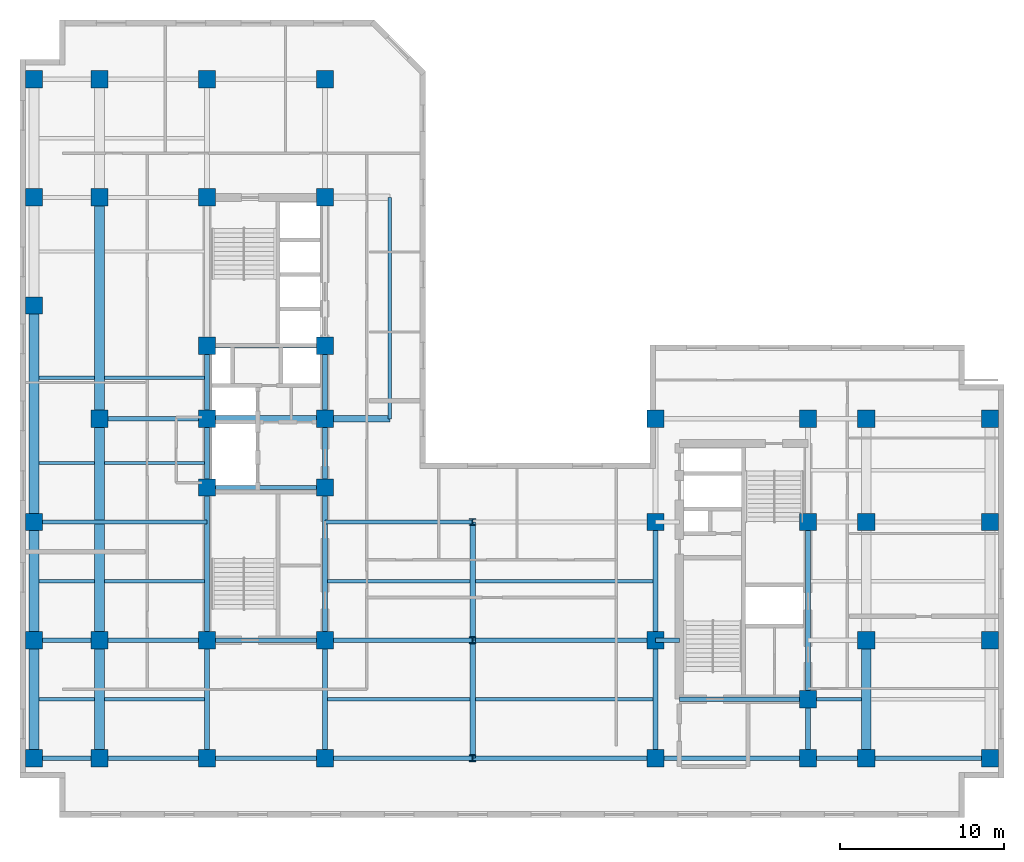
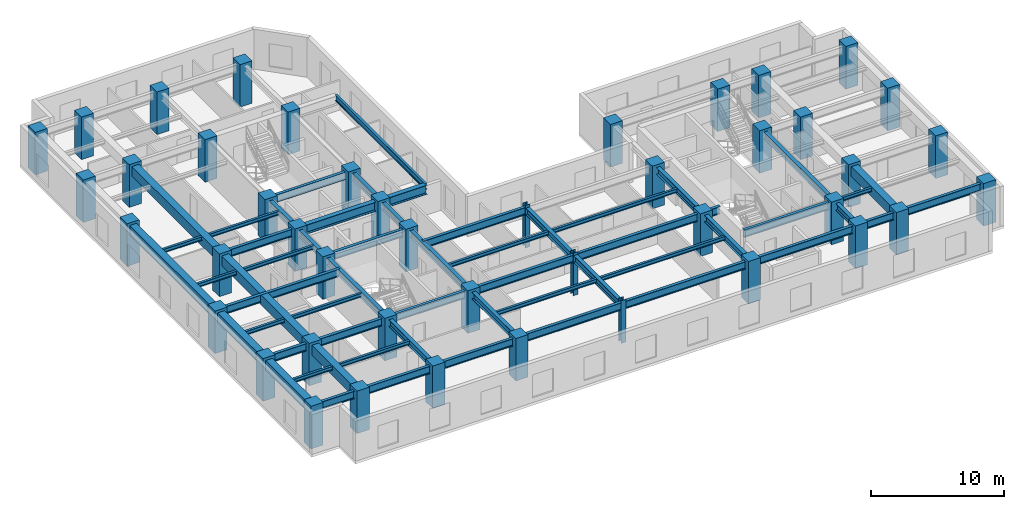
# One storey, part 1 of 10: 56 beams, 44 columns.
"""IFC4 building model written with IfcOpenShell, lengths in metres."""

import ifcopenshell
import ifcopenshell.guid

model = None  # the IFC model being written
_history = None  # IfcOwnerHistory: only IFC2X3 demands one
_inside = {}  # id of a spatial element -> (the spatial element, [elements in it])
_under = {}  # id of a project, library or spatial element -> (it, [spatial elements below it])
_declared = {}  # id of a project -> (the project, [libraries it declares])
_typed = {}  # id of a type object -> (the type object, [elements of that type])
_made_of = {}  # id of a material, layer set ... -> (it, [elements and type objects made of it])


def new_model(schema):
    """Start an empty IFC model of exactly this schema.

    Asked for "IFC4X3", IfcOpenShell would pick the latest addendum, in which some entities
    have other attributes; the version numbers below select the first issue.
    IFC2X3 requires an IfcOwnerHistory on every rooted entity: one is made here for all.
    """
    global model, _history
    if schema == "IFC4X3":
        model = ifcopenshell.file(schema_version=(4, 3, 0, 0))
    else:
        model = ifcopenshell.file(schema=schema)
    _inside.clear()
    _under.clear()
    _declared.clear()
    _typed.clear()
    _made_of.clear()
    _history = None
    if model.schema == "IFC2X3":
        org = make("IfcOrganization", Name="unknown")
        user = make(
            "IfcPersonAndOrganization",
            ThePerson=make("IfcPerson", FamilyName="unknown"),
            TheOrganization=org,
        )
        app = make(
            "IfcApplication",
            ApplicationDeveloper=org,
            Version="unknown",
            ApplicationFullName="unknown",
            ApplicationIdentifier="unknown",
        )
        _history = make(
            "IfcOwnerHistory",
            OwningUser=user,
            OwningApplication=app,
            ChangeAction="ADDED",
            CreationDate=0,
        )
    return model


def make(cls, **values):
    """One entity of the class cls with the attributes given. An attribute that is None is left unset."""
    return model.create_entity(
        cls, **{name: value for name, value in values.items() if value is not None}
    )


def entity(cls, *values):
    """Any entity or typed value of the class cls, its attributes in the order of the schema. None: left unset."""
    e = model.create_entity(cls)
    for i, value in enumerate(values):
        if value is not None:
            e[i] = value
    return e


def rooted(cls, **values):
    """An entity with a GlobalId (a new one), such as an element, a storey or a relation."""
    return make(cls, GlobalId=ifcopenshell.guid.new(), OwnerHistory=_history, **values)


def si_unit(unit_type, name, prefix=None):
    """IfcSIUnit, for example si_unit("LENGTHUNIT", "METRE", prefix="MILLI")."""
    return make("IfcSIUnit", UnitType=unit_type, Prefix=prefix, Name=name)


def converted_unit(unit_type, name, factor, base, dimensions=None, offset=None):
    """IfcConversionBasedUnit, such as the inch: factor (a typed value) times the base unit."""
    return make(
        "IfcConversionBasedUnit"
        if offset is None
        else "IfcConversionBasedUnitWithOffset",
        ConversionOffset=offset,
        Dimensions=None
        if dimensions is None
        else entity("IfcDimensionalExponents", *dimensions),
        UnitType=unit_type,
        Name=name,
        ConversionFactor=make(
            "IfcMeasureWithUnit", ValueComponent=factor, UnitComponent=base
        ),
    )


def assignment(units):
    """IfcUnitAssignment: the units of a project."""
    return None if units is None else make("IfcUnitAssignment", Units=units)


def point(xyz):
    """IfcCartesianPoint."""
    return None if xyz is None else make("IfcCartesianPoint", Coordinates=xyz)


def direction(xyz):
    """IfcDirection."""
    return None if xyz is None else make("IfcDirection", DirectionRatios=xyz)


def frame(location, z_axis=None, x_axis=None):
    """IfcAxis2Placement3D, a coordinate frame: its origin and axes. An axis left out is left unset."""
    return make(
        "IfcAxis2Placement3D",
        Location=point(location),
        Axis=direction(z_axis),
        RefDirection=direction(x_axis),
    )


def frame_2d(location, x_axis=None):
    """IfcAxis2Placement2D, a coordinate frame in the plane: its origin and x axis."""
    return make(
        "IfcAxis2Placement2D", Location=point(location), RefDirection=direction(x_axis)
    )


def origin_with_axes():
    """The frame at (0, 0, 0) with the z axis (0, 0, 1) and the x axis (1, 0, 0) written out."""
    return frame((0.0, 0.0, 0.0), z_axis=(0.0, 0.0, 1.0), x_axis=(1.0, 0.0, 0.0))


def origin_2d_with_axis():
    """The frame at (0, 0) in the plane with the x axis (1, 0) written out."""
    return frame_2d((0.0, 0.0), x_axis=(1.0, 0.0))


def place(relative_to, where):
    """IfcLocalPlacement: puts the frame where relative to a parent placement (None: the world)."""
    return make(
        "IfcLocalPlacement", PlacementRelTo=relative_to, RelativePlacement=where
    )


def context(
    kind, dimensions, precision=None, world=None, true_north=None, identifier=None
):
    """IfcGeometricRepresentationContext, for example the 3D "Model" context."""
    return make(
        "IfcGeometricRepresentationContext",
        ContextIdentifier=identifier,
        ContextType=kind,
        CoordinateSpaceDimension=dimensions,
        Precision=precision,
        WorldCoordinateSystem=world,
        TrueNorth=true_north,
    )


def subcontext(parent, identifier, kind, view, scale=None):
    """IfcGeometricRepresentationSubContext, for example "Body" below "Model"."""
    return make(
        "IfcGeometricRepresentationSubContext",
        ContextIdentifier=identifier,
        ContextType=kind,
        ParentContext=parent,
        TargetScale=scale,
        TargetView=view,
    )


def project(units=None, contexts=None):
    """IfcProject with its units and contexts."""
    return rooted(
        "IfcProject",
        Name="project",
        RepresentationContexts=contexts,
        UnitsInContext=assignment(units),
    )


def spatial(cls, under=None, at=None, **own):
    """A site, building, storey or space (cls), placed at a placement, below another one or the project."""
    s = rooted(cls, ObjectPlacement=at, **own)
    if under is not None:
        _under.setdefault(under.id(), (under, []))[1].append(s)
    return s


def profile(cls, at=None, kind="AREA", **sizes):
    """A parametric profile (cls). Its sizes go by their IFC names, for example OverallWidth=200.0."""
    return make(cls, ProfileType=kind, Position=at, **sizes)


def rectangle(**sizes):
    """IfcRectangleProfileDef."""
    return profile("IfcRectangleProfileDef", **sizes)


def i_section(**sizes):
    """IfcIShapeProfileDef."""
    return profile("IfcIShapeProfileDef", **sizes)


def extrude(swept, where, along, depth):
    """IfcExtrudedAreaSolid: the profile swept, set in the frame where, extruded along a direction by depth."""
    return make(
        "IfcExtrudedAreaSolid",
        SweptArea=swept,
        Position=where,
        ExtrudedDirection=direction(along),
        Depth=depth,
    )


def shape(context_of_items, identifier, shape_type, items):
    """IfcShapeRepresentation: the items that make up one representation, for example the "Body"."""
    return make(
        "IfcShapeRepresentation",
        ContextOfItems=context_of_items,
        RepresentationIdentifier=identifier,
        RepresentationType=shape_type,
        Items=items,
    )


def material(Name=None, Category=None):
    """IfcMaterial."""
    return make("IfcMaterial", Name=Name, Category=Category)


def material_profile(
    of_material, cross_section, Name=None, Category=None, Priority=None
):
    """IfcMaterialProfile: a cross section and its material."""
    return make(
        "IfcMaterialProfile",
        Name=Name,
        Material=of_material,
        Profile=cross_section,
        Priority=Priority,
        Category=Category,
    )


def profile_set(profiles, Name=None, composite=None):
    """IfcMaterialProfileSet."""
    return make(
        "IfcMaterialProfileSet",
        Name=Name,
        MaterialProfiles=profiles,
        CompositeProfile=composite,
    )


def made_of(thing, what):
    """Note that an element or type object is made of a material, layer set ...; save() writes the relation."""
    if what is not None:
        _made_of.setdefault(what.id(), (what, []))[1].append(thing)
    return thing


def type_object(cls, material=None, **own):
    """A type object (cls), such as IfcWallType, which elements share."""
    return made_of(rooted(cls, **own), material)


def element(
    cls,
    number,
    at=None,
    inside=None,
    cuts=None,
    type_object=None,
    material=None,
    context=None,
    identifier="Body",
    shape_type=None,
    held_by="IfcProductDefinitionShape",
    body=None,
    shapes=None,
    **own,
):
    """One element of the class cls, such as IfcWall. Its Tag is "e" and its number.

    at: its placement. inside: the storey or other place that contains it. cuts: it is an
    opening in that element (IfcRelVoidsElement). A single representation is given by context,
    identifier, shape_type and body (its items); several are given by shapes. held_by: the class
    of the entity that holds the representations. save() writes the other relations.
    """
    e = rooted(cls, Tag="e%d" % number, ObjectPlacement=at, **own)
    if body is not None:
        shapes = [shape(context, identifier, shape_type, body)]
    if shapes is not None:
        e.Representation = make(held_by, Representations=shapes)
    if inside is not None:
        _inside.setdefault(inside.id(), (inside, []))[1].append(e)
    if cuts is not None:
        rooted(
            "IfcRelVoidsElement", RelatingBuildingElement=cuts, RelatedOpeningElement=e
        )
    if type_object is not None:
        _typed.setdefault(type_object.id(), (type_object, []))[1].append(e)
    return made_of(e, material)


def aggregate(whole, parts):
    """IfcRelAggregates: a whole, such as a stair, and the parts it consists of."""
    return rooted("IfcRelAggregates", RelatingObject=whole, RelatedObjects=parts)


def save(model, path):
    """Write the relations noted so far, then the file.

    IfcRelAggregates (storeys below a building ...), IfcRelContainedInSpatialStructure (elements
    in a storey), IfcRelDefinesByType, IfcRelAssociatesMaterial and IfcRelDeclares: one each for
    every whole, place, type object, material and project.
    """
    for whole, parts in _under.values():
        aggregate(whole, parts)
    for where, things in _inside.values():
        rooted(
            "IfcRelContainedInSpatialStructure",
            RelatedElements=things,
            RelatingStructure=where,
        )
    for kind, things in _typed.values():
        rooted("IfcRelDefinesByType", RelatedObjects=things, RelatingType=kind)
    for what, things in _made_of.values():
        rooted("IfcRelAssociatesMaterial", RelatedObjects=things, RelatingMaterial=what)
    for by, libraries in _declared.values():
        rooted("IfcRelDeclares", RelatingContext=by, RelatedDefinitions=libraries)
    model.write(path)


model = new_model("IFC4")

# Units and contexts
model_context = context("Model", 3, precision=1e-05, world=origin_with_axes(), true_north=direction((0.0, 1.0)))
body_context = subcontext(model_context, "Body", "Model", "MODEL_VIEW")
ifc_project = project(units=[si_unit("LENGTHUNIT", "METRE"), si_unit("AREAUNIT", "SQUARE_METRE"), si_unit("VOLUMEUNIT", "CUBIC_METRE"), converted_unit("PLANEANGLEUNIT", "DEGREE", entity("IfcPlaneAngleMeasure", 0.017453292519943295), si_unit("PLANEANGLEUNIT", "RADIAN"), dimensions=[0, 0, 0, 0, 0, 0, 0]), si_unit("MASSUNIT", "GRAM", prefix="KILO"), si_unit("THERMODYNAMICTEMPERATUREUNIT", "KELVIN")], contexts=[model_context])

# Site, building, storey
site_placement = place(None, origin_with_axes())
site = spatial("IfcSite", under=ifc_project, at=site_placement, CompositionType="ELEMENT")
building_placement = place(site_placement, origin_with_axes())
building = spatial("IfcBuilding", under=site, at=building_placement, Name="Varnlund Millrace Tower", CompositionType="ELEMENT")
storey_placement = place(building_placement, frame((0.0, 0.0, 171.9), z_axis=(0.0, 0.0, 1.0), x_axis=(1.0, 0.0, 0.0)))
storey = spatial("IfcBuildingStorey", under=building, at=storey_placement, Name="L42", CompositionType="ELEMENT", Elevation=171.9)

# Columns
ifc_material_1 = material(Name="Steel ASTM A913 Grade 65", Category="steel")
ifc_material_profile_1 = material_profile(ifc_material_1, i_section(OverallWidth=0.406, OverallDepth=0.416, WebThickness=0.0298, FlangeThickness=0.048, FilletRadius=0.022, at=origin_2d_with_axis()), Name="Steel ASTM A913 Grade 65")
ifc_profile_set_1 = profile_set([ifc_material_profile_1], Name="Steel ASTM A913 Grade 65")
column_type_1 = type_object("IfcColumnType", Name="Type-Col-Int-W14X257", PredefinedType="COLUMN", material=ifc_profile_set_1)
for number, where, z_axis, x_axis, name in (
    (1, (27.6, 3.6, 0.0), (0.0, 0.0, 1.0), (1.0, 0.0, 0.0), "Type-Col-Int-W14X257"),
    (2, (27.6, 10.8, 0.0), (0.0, 0.0, 1.0), (1.0, 0.0, 0.0), "Type-Col-Int-W14X257"),
    (3, (27.6, 18.0, 0.0), (0.0, 0.0, 1.0), (1.0, 0.0, 0.0), "Type-Col-Int-W14X257"),
):
    element("IfcColumn", number, at=place(storey_placement, frame(where, z_axis=z_axis, x_axis=x_axis)), inside=storey, type_object=column_type_1, Name=name, PredefinedType="COLUMN", context=body_context, shape_type="SweptSolid", body=[
        extrude(i_section(OverallWidth=0.406, OverallDepth=0.416, WebThickness=0.0298, FlangeThickness=0.048, FilletRadius=0.022, at=origin_2d_with_axis()), origin_with_axes(), (0.0, 0.0, 1.0), 3.9),
    ])
ifc_material_2 = material(Name="Concrete C70/85", Category="concrete")
ifc_material_profile_2 = material_profile(ifc_material_2, rectangle(XDim=1.05, YDim=1.05, at=origin_2d_with_axis()), Name="Concrete C70/85")
ifc_profile_set_2 = profile_set([ifc_material_profile_2], Name="Concrete C70/85")
column_type_2 = type_object("IfcColumnType", Name="Type-Col-RC1050-C70", PredefinedType="COLUMN", material=ifc_profile_set_2)
for number, where, z_axis, x_axis, name in (
    (4, (11.4, 3.6, 0.0), (0.0, 0.0, 1.0), (1.0, 0.0, 0.0), "Type-Col-RC1050-C70"),
    (5, (11.4, 10.8, 0.0), (0.0, 0.0, 1.0), (1.0, 0.0, 0.0), "Type-Col-RC1050-C70"),
    (6, (11.4, 20.1, 0.0), (0.0, 0.0, 1.0), (1.0, 0.0, 0.0), "Type-Col-RC1050-C70"),
    (7, (11.4, 24.3, 0.0), (0.0, 0.0, 1.0), (1.0, 0.0, 0.0), "Type-Col-RC1050-C70"),
    (8, (11.4, 28.75, 0.0), (0.0, 0.0, 1.0), (1.0, 0.0, 0.0), "Type-Col-RC1050-C70"),
    (9, (11.4, 37.8, 0.0), (0.0, 0.0, 1.0), (1.0, 0.0, 0.0), "Type-Col-RC1050-C70"),
    (10, (11.4, 45.0, 0.0), (0.0, 0.0, 1.0), (1.0, 0.0, 0.0), "Type-Col-RC1050-C70"),
    (11, (18.6, 3.6, 0.0), (0.0, 0.0, 1.0), (1.0, 0.0, 0.0), "Type-Col-RC1050-C70"),
    (12, (18.6, 10.8, 0.0), (0.0, 0.0, 1.0), (1.0, 0.0, 0.0), "Type-Col-RC1050-C70"),
    (13, (18.6, 20.1, 0.0), (0.0, 0.0, 1.0), (1.0, 0.0, 0.0), "Type-Col-RC1050-C70"),
    (14, (18.6, 24.3, 0.0), (0.0, 0.0, 1.0), (1.0, 0.0, 0.0), "Type-Col-RC1050-C70"),
    (15, (18.6, 28.75, 0.0), (0.0, 0.0, 1.0), (1.0, 0.0, 0.0), "Type-Col-RC1050-C70"),
    (16, (18.6, 37.8, 0.0), (0.0, 0.0, 1.0), (1.0, 0.0, 0.0), "Type-Col-RC1050-C70"),
    (17, (18.6, 45.0, 0.0), (0.0, 0.0, 1.0), (1.0, 0.0, 0.0), "Type-Col-RC1050-C70"),
    (18, (4.85, 3.6, 0.0), (0.0, 0.0, 1.0), (1.0, 0.0, 0.0), "Type-Col-RC1050-C70"),
    (19, (4.85, 10.8, 0.0), (0.0, 0.0, 1.0), (1.0, 0.0, 0.0), "Type-Col-RC1050-C70"),
    (20, (4.85, 24.3, 0.0), (0.0, 0.0, 1.0), (1.0, 0.0, 0.0), "Type-Col-RC1050-C70"),
    (21, (4.85, 37.8, 0.0), (0.0, 0.0, 1.0), (1.0, 0.0, 0.0), "Type-Col-RC1050-C70"),
    (22, (4.85, 45.0, 0.0), (0.0, 0.0, 1.0), (1.0, 0.0, 0.0), "Type-Col-RC1050-C70"),
    (23, (0.85, 3.6, 0.0), (0.0, 0.0, 1.0), (1.0, 0.0, 0.0), "Type-Col-RC1050-C70"),
    (24, (0.85, 10.8, 0.0), (0.0, 0.0, 1.0), (1.0, 0.0, 0.0), "Type-Col-RC1050-C70"),
    (25, (0.85, 18.0, 0.0), (0.0, 0.0, 1.0), (1.0, 0.0, 0.0), "Type-Col-RC1050-C70"),
    (26, (0.85, 31.2, 0.0), (0.0, 0.0, 1.0), (1.0, 0.0, 0.0), "Type-Col-RC1050-C70"),
    (27, (0.85, 37.8, 0.0), (0.0, 0.0, 1.0), (1.0, 0.0, 0.0), "Type-Col-RC1050-C70"),
    (28, (0.85, 45.0, 0.0), (0.0, 0.0, 1.0), (1.0, 0.0, 0.0), "Type-Col-RC1050-C70"),
    (29, (38.75, 3.6, 0.0), (0.0, 0.0, 1.0), (1.0, 0.0, 0.0), "Type-Col-RC1050-C70"),
    (30, (38.75, 10.8, 0.0), (0.0, 0.0, 1.0), (1.0, 0.0, 0.0), "Type-Col-RC1050-C70"),
    (31, (38.75, 18.0, 0.0), (0.0, 0.0, 1.0), (1.0, 0.0, 0.0), "Type-Col-RC1050-C70"),
    (32, (38.75, 24.3, 0.0), (0.0, 0.0, 1.0), (1.0, 0.0, 0.0), "Type-Col-RC1050-C70"),
    (33, (48.05, 3.6, 0.0), (0.0, 0.0, 1.0), (1.0, 0.0, 0.0), "Type-Col-RC1050-C70"),
    (34, (48.05, 7.2, 0.0), (0.0, 0.0, 1.0), (1.0, 0.0, 0.0), "Type-Col-RC1050-C70"),
    (35, (48.05, 18.0, 0.0), (0.0, 0.0, 1.0), (1.0, 0.0, 0.0), "Type-Col-RC1050-C70"),
    (36, (48.05, 24.3, 0.0), (0.0, 0.0, 1.0), (1.0, 0.0, 0.0), "Type-Col-RC1050-C70"),
    (37, (51.6, 3.6, 0.0), (0.0, 0.0, 1.0), (1.0, 0.0, 0.0), "Type-Col-RC1050-C70"),
    (38, (51.6, 10.8, 0.0), (0.0, 0.0, 1.0), (1.0, 0.0, 0.0), "Type-Col-RC1050-C70"),
    (39, (51.6, 18.0, 0.0), (0.0, 0.0, 1.0), (1.0, 0.0, 0.0), "Type-Col-RC1050-C70"),
    (40, (51.6, 24.3, 0.0), (0.0, 0.0, 1.0), (1.0, 0.0, 0.0), "Type-Col-RC1050-C70"),
    (41, (59.15, 3.6, 0.0), (0.0, 0.0, 1.0), (1.0, 0.0, 0.0), "Type-Col-RC1050-C70"),
    (42, (59.15, 10.8, 0.0), (0.0, 0.0, 1.0), (1.0, 0.0, 0.0), "Type-Col-RC1050-C70"),
    (43, (59.15, 18.0, 0.0), (0.0, 0.0, 1.0), (1.0, 0.0, 0.0), "Type-Col-RC1050-C70"),
    (44, (59.15, 24.3, 0.0), (0.0, 0.0, 1.0), (1.0, 0.0, 0.0), "Type-Col-RC1050-C70"),
):
    element("IfcColumn", number, at=place(storey_placement, frame(where, z_axis=z_axis, x_axis=x_axis)), inside=storey, type_object=column_type_2, Name=name, PredefinedType="COLUMN", context=body_context, shape_type="SweptSolid", body=[
        extrude(rectangle(XDim=1.05, YDim=1.05, at=origin_2d_with_axis()), origin_with_axes(), (0.0, 0.0, 1.0), 3.9),
    ])

# Beams
ifc_material_3 = material(Name="Steel ASTM A992 Grade 50", Category="steel")
ifc_material_profile_3 = material_profile(ifc_material_3, i_section(OverallWidth=0.209, OverallDepth=0.533, WebThickness=0.0102, FlangeThickness=0.0156, FilletRadius=0.014, at=origin_2d_with_axis()), Name="Steel ASTM A992 Grade 50")
ifc_profile_set_3 = profile_set([ifc_material_profile_3], Name="Steel ASTM A992 Grade 50")
beam_type_1 = type_object("IfcBeamType", Name="Type-Beam-W21X62", PredefinedType="BEAM", material=ifc_profile_set_3)
beam_1_placement = place(storey_placement, frame((22.55, 24.3, 3.3935), z_axis=(0.0, 1.0, 0.0), x_axis=(-1.0, 0.0, 0.0)))
element("IfcBeam", 45, at=beam_1_placement, inside=storey, type_object=beam_type_1, Name="Type-Beam-W21X62", PredefinedType="BEAM", context=body_context, shape_type="SweptSolid", body=[
    extrude(i_section(OverallWidth=0.209, OverallDepth=0.533, WebThickness=0.0102, FlangeThickness=0.0156, FilletRadius=0.014, at=origin_2d_with_axis()), origin_with_axes(), (0.0, 0.0, 1.0), 13.5),
])
ifc_material_profile_4 = material_profile(ifc_material_3, i_section(OverallWidth=0.328, OverallDepth=0.628, WebThickness=0.0165, FlangeThickness=0.0277, FilletRadius=0.018, at=origin_2d_with_axis()), Name="Steel ASTM A992 Grade 50")
ifc_profile_set_4 = profile_set([ifc_material_profile_4], Name="Steel ASTM A992 Grade 50")
beam_type_2 = type_object("IfcBeamType", Name="Type-Girder-W24X146", PredefinedType="USERDEFINED", material=ifc_profile_set_4)
beam_2_placement = place(storey_placement, frame((11.4, 3.6, 3.346), z_axis=(0.0, 1.0, 0.0), x_axis=(-1.0, 0.0, 0.0)))
element("IfcBeam", 46, at=beam_2_placement, inside=storey, type_object=beam_type_2, Name="Type-Girder-W24X146", ObjectType="GIRDER", PredefinedType="USERDEFINED", context=body_context, shape_type="SweptSolid", body=[
    extrude(i_section(OverallWidth=0.328, OverallDepth=0.628, WebThickness=0.0165, FlangeThickness=0.0277, FilletRadius=0.018, at=origin_2d_with_axis()), origin_with_axes(), (0.0, 0.0, 1.0), 7.2),
])
beam_3_placement = place(storey_placement, frame((11.4, 10.8, 3.346), z_axis=(0.0, 1.0, 0.0), x_axis=(-1.0, 0.0, 0.0)))
element("IfcBeam", 47, at=beam_3_placement, inside=storey, type_object=beam_type_2, Name="Type-Girder-W24X146", ObjectType="GIRDER", PredefinedType="USERDEFINED", context=body_context, shape_type="SweptSolid", body=[
    extrude(i_section(OverallWidth=0.328, OverallDepth=0.628, WebThickness=0.0165, FlangeThickness=0.0277, FilletRadius=0.018, at=origin_2d_with_axis()), origin_with_axes(), (0.0, 0.0, 1.0), 9.3),
])
beam_4_placement = place(storey_placement, frame((11.4, 20.1, 3.346), z_axis=(0.0, 1.0, 0.0), x_axis=(-1.0, 0.0, 0.0)))
element("IfcBeam", 48, at=beam_4_placement, inside=storey, type_object=beam_type_2, Name="Type-Girder-W24X146", ObjectType="GIRDER", PredefinedType="USERDEFINED", context=body_context, shape_type="SweptSolid", body=[
    extrude(i_section(OverallWidth=0.328, OverallDepth=0.628, WebThickness=0.0165, FlangeThickness=0.0277, FilletRadius=0.018, at=origin_2d_with_axis()), origin_with_axes(), (0.0, 0.0, 1.0), 4.2),
])
beam_5_placement = place(storey_placement, frame((11.4, 24.3, 3.346), z_axis=(0.0, 1.0, 0.0), x_axis=(-1.0, 0.0, 0.0)))
element("IfcBeam", 49, at=beam_5_placement, inside=storey, type_object=beam_type_2, Name="Type-Girder-W24X146", ObjectType="GIRDER", PredefinedType="USERDEFINED", context=body_context, shape_type="SweptSolid", body=[
    extrude(i_section(OverallWidth=0.328, OverallDepth=0.628, WebThickness=0.0165, FlangeThickness=0.0277, FilletRadius=0.018, at=origin_2d_with_axis()), origin_with_axes(), (0.0, 0.0, 1.0), 4.45),
])
beam_6_placement = place(storey_placement, frame((18.6, 3.6, 3.346), z_axis=(0.0, 1.0, 0.0), x_axis=(-1.0, 0.0, 0.0)))
element("IfcBeam", 50, at=beam_6_placement, inside=storey, type_object=beam_type_2, Name="Type-Girder-W24X146", ObjectType="GIRDER", PredefinedType="USERDEFINED", context=body_context, shape_type="SweptSolid", body=[
    extrude(i_section(OverallWidth=0.328, OverallDepth=0.628, WebThickness=0.0165, FlangeThickness=0.0277, FilletRadius=0.018, at=origin_2d_with_axis()), origin_with_axes(), (0.0, 0.0, 1.0), 7.2),
])
beam_7_placement = place(storey_placement, frame((18.6, 10.8, 3.346), z_axis=(0.0, 1.0, 0.0), x_axis=(-1.0, 0.0, 0.0)))
element("IfcBeam", 51, at=beam_7_placement, inside=storey, type_object=beam_type_2, Name="Type-Girder-W24X146", ObjectType="GIRDER", PredefinedType="USERDEFINED", context=body_context, shape_type="SweptSolid", body=[
    extrude(i_section(OverallWidth=0.328, OverallDepth=0.628, WebThickness=0.0165, FlangeThickness=0.0277, FilletRadius=0.018, at=origin_2d_with_axis()), origin_with_axes(), (0.0, 0.0, 1.0), 9.3),
])
beam_8_placement = place(storey_placement, frame((18.6, 20.1, 3.346), z_axis=(0.0, 1.0, 0.0), x_axis=(-1.0, 0.0, 0.0)))
element("IfcBeam", 52, at=beam_8_placement, inside=storey, type_object=beam_type_2, Name="Type-Girder-W24X146", ObjectType="GIRDER", PredefinedType="USERDEFINED", context=body_context, shape_type="SweptSolid", body=[
    extrude(i_section(OverallWidth=0.328, OverallDepth=0.628, WebThickness=0.0165, FlangeThickness=0.0277, FilletRadius=0.018, at=origin_2d_with_axis()), origin_with_axes(), (0.0, 0.0, 1.0), 4.2),
])
beam_9_placement = place(storey_placement, frame((18.6, 24.3, 3.346), z_axis=(0.0, 1.0, 0.0), x_axis=(-1.0, 0.0, 0.0)))
element("IfcBeam", 53, at=beam_9_placement, inside=storey, type_object=beam_type_2, Name="Type-Girder-W24X146", ObjectType="GIRDER", PredefinedType="USERDEFINED", context=body_context, shape_type="SweptSolid", body=[
    extrude(i_section(OverallWidth=0.328, OverallDepth=0.628, WebThickness=0.0165, FlangeThickness=0.0277, FilletRadius=0.018, at=origin_2d_with_axis()), origin_with_axes(), (0.0, 0.0, 1.0), 4.45),
])
for number, where, z_axis, x_axis, name in (
    (54, (27.6, 3.6, 3.346), (0.0, 1.0, 0.0), (-1.0, 0.0, 0.0), "Type-Girder-W24X146"),
    (55, (27.6, 10.8, 3.346), (0.0, 1.0, 0.0), (-1.0, 0.0, 0.0), "Type-Girder-W24X146"),
    (56, (38.75, 3.6, 3.346), (0.0, 1.0, 0.0), (-1.0, 0.0, 0.0), "Type-Girder-W24X146"),
    (57, (38.75, 10.8, 3.346), (0.0, 1.0, 0.0), (-1.0, 0.0, 0.0), "Type-Girder-W24X146"),
):
    element("IfcBeam", number, at=place(storey_placement, frame(where, z_axis=z_axis, x_axis=x_axis)), inside=storey, type_object=beam_type_2, Name=name, ObjectType="GIRDER", PredefinedType="USERDEFINED", context=body_context, shape_type="SweptSolid", body=[
        extrude(i_section(OverallWidth=0.328, OverallDepth=0.628, WebThickness=0.0165, FlangeThickness=0.0277, FilletRadius=0.018, at=origin_2d_with_axis()), origin_with_axes(), (0.0, 0.0, 1.0), 7.2),
    ])
beam_10_placement = place(storey_placement, frame((48.05, 3.6, 3.346), z_axis=(0.0, 1.0, 0.0), x_axis=(-1.0, 0.0, 0.0)))
element("IfcBeam", 58, at=beam_10_placement, inside=storey, type_object=beam_type_2, Name="Type-Girder-W24X146", ObjectType="GIRDER", PredefinedType="USERDEFINED", context=body_context, shape_type="SweptSolid", body=[
    extrude(i_section(OverallWidth=0.328, OverallDepth=0.628, WebThickness=0.0165, FlangeThickness=0.0277, FilletRadius=0.018, at=origin_2d_with_axis()), origin_with_axes(), (0.0, 0.0, 1.0), 3.6),
])
beam_11_placement = place(storey_placement, frame((48.05, 7.2, 3.346), z_axis=(0.0, 1.0, 0.0), x_axis=(-1.0, 0.0, 0.0)))
element("IfcBeam", 59, at=beam_11_placement, inside=storey, type_object=beam_type_2, Name="Type-Girder-W24X146", ObjectType="GIRDER", PredefinedType="USERDEFINED", context=body_context, shape_type="SweptSolid", body=[
    extrude(i_section(OverallWidth=0.328, OverallDepth=0.628, WebThickness=0.0165, FlangeThickness=0.0277, FilletRadius=0.018, at=origin_2d_with_axis()), origin_with_axes(), (0.0, 0.0, 1.0), 10.8),
])
ifc_material_profile_5 = material_profile(ifc_material_3, i_section(OverallWidth=0.256, OverallDepth=0.693, WebThickness=0.0145, FlangeThickness=0.0236, FilletRadius=0.018, at=origin_2d_with_axis()), Name="Steel ASTM A992 Grade 50")
ifc_profile_set_5 = profile_set([ifc_material_profile_5], Name="Steel ASTM A992 Grade 50")
beam_type_3 = type_object("IfcBeamType", Name="Type-Girder-W27X114", PredefinedType="USERDEFINED", material=ifc_profile_set_5)
beam_12_placement = place(storey_placement, frame((0.85, 3.6, 3.3135), z_axis=(1.0, 0.0, 0.0), x_axis=(0.0, 1.0, 0.0)))
element("IfcBeam", 60, at=beam_12_placement, inside=storey, type_object=beam_type_3, Name="Type-Girder-W27X114", ObjectType="GIRDER", PredefinedType="USERDEFINED", context=body_context, shape_type="SweptSolid", body=[
    extrude(i_section(OverallWidth=0.256, OverallDepth=0.693, WebThickness=0.0145, FlangeThickness=0.0236, FilletRadius=0.018, at=origin_2d_with_axis()), origin_with_axes(), (0.0, 0.0, 1.0), 4.0),
])
beam_13_placement = place(storey_placement, frame((4.85, 3.6, 3.3135), z_axis=(1.0, 0.0, 0.0), x_axis=(0.0, 1.0, 0.0)))
element("IfcBeam", 61, at=beam_13_placement, inside=storey, type_object=beam_type_3, Name="Type-Girder-W27X114", ObjectType="GIRDER", PredefinedType="USERDEFINED", context=body_context, shape_type="SweptSolid", body=[
    extrude(i_section(OverallWidth=0.256, OverallDepth=0.693, WebThickness=0.0145, FlangeThickness=0.0236, FilletRadius=0.018, at=origin_2d_with_axis()), origin_with_axes(), (0.0, 0.0, 1.0), 6.55),
])
beam_14_placement = place(storey_placement, frame((11.4, 3.6, 3.3135), z_axis=(1.0, 0.0, 0.0), x_axis=(0.0, 1.0, 0.0)))
element("IfcBeam", 62, at=beam_14_placement, inside=storey, type_object=beam_type_3, Name="Type-Girder-W27X114", ObjectType="GIRDER", PredefinedType="USERDEFINED", context=body_context, shape_type="SweptSolid", body=[
    extrude(i_section(OverallWidth=0.256, OverallDepth=0.693, WebThickness=0.0145, FlangeThickness=0.0236, FilletRadius=0.018, at=origin_2d_with_axis()), origin_with_axes(), (0.0, 0.0, 1.0), 7.2),
])
beam_15_placement = place(storey_placement, frame((18.6, 3.6, 3.3135), z_axis=(1.0, 0.0, 0.0), x_axis=(0.0, 1.0, 0.0)))
element("IfcBeam", 63, at=beam_15_placement, inside=storey, type_object=beam_type_3, Name="Type-Girder-W27X114", ObjectType="GIRDER", PredefinedType="USERDEFINED", context=body_context, shape_type="SweptSolid", body=[
    extrude(i_section(OverallWidth=0.256, OverallDepth=0.693, WebThickness=0.0145, FlangeThickness=0.0236, FilletRadius=0.018, at=origin_2d_with_axis()), origin_with_axes(), (0.0, 0.0, 1.0), 9.0),
])
beam_16_placement = place(storey_placement, frame((27.6, 3.6, 3.3135), z_axis=(1.0, 0.0, 0.0), x_axis=(0.0, 1.0, 0.0)))
element("IfcBeam", 64, at=beam_16_placement, inside=storey, type_object=beam_type_3, Name="Type-Girder-W27X114", ObjectType="GIRDER", PredefinedType="USERDEFINED", context=body_context, shape_type="SweptSolid", body=[
    extrude(i_section(OverallWidth=0.256, OverallDepth=0.693, WebThickness=0.0145, FlangeThickness=0.0236, FilletRadius=0.018, at=origin_2d_with_axis()), origin_with_axes(), (0.0, 0.0, 1.0), 11.15),
])
beam_17_placement = place(storey_placement, frame((38.75, 3.6, 3.3135), z_axis=(1.0, 0.0, 0.0), x_axis=(0.0, 1.0, 0.0)))
element("IfcBeam", 65, at=beam_17_placement, inside=storey, type_object=beam_type_3, Name="Type-Girder-W27X114", ObjectType="GIRDER", PredefinedType="USERDEFINED", context=body_context, shape_type="SweptSolid", body=[
    extrude(i_section(OverallWidth=0.256, OverallDepth=0.693, WebThickness=0.0145, FlangeThickness=0.0236, FilletRadius=0.018, at=origin_2d_with_axis()), origin_with_axes(), (0.0, 0.0, 1.0), 9.3),
])
beam_18_placement = place(storey_placement, frame((48.05, 3.6, 3.3135), z_axis=(1.0, 0.0, 0.0), x_axis=(0.0, 1.0, 0.0)))
element("IfcBeam", 66, at=beam_18_placement, inside=storey, type_object=beam_type_3, Name="Type-Girder-W27X114", ObjectType="GIRDER", PredefinedType="USERDEFINED", context=body_context, shape_type="SweptSolid", body=[
    extrude(i_section(OverallWidth=0.256, OverallDepth=0.693, WebThickness=0.0145, FlangeThickness=0.0236, FilletRadius=0.018, at=origin_2d_with_axis()), origin_with_axes(), (0.0, 0.0, 1.0), 3.55),
])
beam_19_placement = place(storey_placement, frame((51.6, 3.6, 3.3135), z_axis=(1.0, 0.0, 0.0), x_axis=(0.0, 1.0, 0.0)))
element("IfcBeam", 67, at=beam_19_placement, inside=storey, type_object=beam_type_3, Name="Type-Girder-W27X114", ObjectType="GIRDER", PredefinedType="USERDEFINED", context=body_context, shape_type="SweptSolid", body=[
    extrude(i_section(OverallWidth=0.256, OverallDepth=0.693, WebThickness=0.0145, FlangeThickness=0.0236, FilletRadius=0.018, at=origin_2d_with_axis()), origin_with_axes(), (0.0, 0.0, 1.0), 7.55),
])
beam_20_placement = place(storey_placement, frame((40.2, 7.2, 3.3135), z_axis=(1.0, 0.0, 0.0), x_axis=(0.0, 1.0, 0.0)))
element("IfcBeam", 68, at=beam_20_placement, inside=storey, type_object=beam_type_3, Name="Type-Girder-W27X114", ObjectType="GIRDER", PredefinedType="USERDEFINED", context=body_context, shape_type="SweptSolid", body=[
    extrude(i_section(OverallWidth=0.256, OverallDepth=0.693, WebThickness=0.0145, FlangeThickness=0.0236, FilletRadius=0.018, at=origin_2d_with_axis()), origin_with_axes(), (0.0, 0.0, 1.0), 7.85),
])
beam_21_placement = place(storey_placement, frame((0.85, 10.8, 3.3135), z_axis=(1.0, 0.0, 0.0), x_axis=(0.0, 1.0, 0.0)))
element("IfcBeam", 69, at=beam_21_placement, inside=storey, type_object=beam_type_3, Name="Type-Girder-W27X114", ObjectType="GIRDER", PredefinedType="USERDEFINED", context=body_context, shape_type="SweptSolid", body=[
    extrude(i_section(OverallWidth=0.256, OverallDepth=0.693, WebThickness=0.0145, FlangeThickness=0.0236, FilletRadius=0.018, at=origin_2d_with_axis()), origin_with_axes(), (0.0, 0.0, 1.0), 4.0),
])
beam_22_placement = place(storey_placement, frame((4.85, 10.8, 3.3135), z_axis=(1.0, 0.0, 0.0), x_axis=(0.0, 1.0, 0.0)))
element("IfcBeam", 70, at=beam_22_placement, inside=storey, type_object=beam_type_3, Name="Type-Girder-W27X114", ObjectType="GIRDER", PredefinedType="USERDEFINED", context=body_context, shape_type="SweptSolid", body=[
    extrude(i_section(OverallWidth=0.256, OverallDepth=0.693, WebThickness=0.0145, FlangeThickness=0.0236, FilletRadius=0.018, at=origin_2d_with_axis()), origin_with_axes(), (0.0, 0.0, 1.0), 6.55),
])
beam_23_placement = place(storey_placement, frame((11.4, 10.8, 3.3135), z_axis=(1.0, 0.0, 0.0), x_axis=(0.0, 1.0, 0.0)))
element("IfcBeam", 71, at=beam_23_placement, inside=storey, type_object=beam_type_3, Name="Type-Girder-W27X114", ObjectType="GIRDER", PredefinedType="USERDEFINED", context=body_context, shape_type="SweptSolid", body=[
    extrude(i_section(OverallWidth=0.256, OverallDepth=0.693, WebThickness=0.0145, FlangeThickness=0.0236, FilletRadius=0.018, at=origin_2d_with_axis()), origin_with_axes(), (0.0, 0.0, 1.0), 7.2),
])
beam_24_placement = place(storey_placement, frame((18.6, 10.8, 3.3135), z_axis=(1.0, 0.0, 0.0), x_axis=(0.0, 1.0, 0.0)))
element("IfcBeam", 72, at=beam_24_placement, inside=storey, type_object=beam_type_3, Name="Type-Girder-W27X114", ObjectType="GIRDER", PredefinedType="USERDEFINED", context=body_context, shape_type="SweptSolid", body=[
    extrude(i_section(OverallWidth=0.256, OverallDepth=0.693, WebThickness=0.0145, FlangeThickness=0.0236, FilletRadius=0.018, at=origin_2d_with_axis()), origin_with_axes(), (0.0, 0.0, 1.0), 9.0),
])
beam_25_placement = place(storey_placement, frame((27.6, 10.8, 3.3135), z_axis=(1.0, 0.0, 0.0), x_axis=(0.0, 1.0, 0.0)))
element("IfcBeam", 73, at=beam_25_placement, inside=storey, type_object=beam_type_3, Name="Type-Girder-W27X114", ObjectType="GIRDER", PredefinedType="USERDEFINED", context=body_context, shape_type="SweptSolid", body=[
    extrude(i_section(OverallWidth=0.256, OverallDepth=0.693, WebThickness=0.0145, FlangeThickness=0.0236, FilletRadius=0.018, at=origin_2d_with_axis()), origin_with_axes(), (0.0, 0.0, 1.0), 11.15),
])
beam_26_placement = place(storey_placement, frame((38.75, 10.8, 3.3135), z_axis=(1.0, 0.0, 0.0), x_axis=(0.0, 1.0, 0.0)))
element("IfcBeam", 74, at=beam_26_placement, inside=storey, type_object=beam_type_3, Name="Type-Girder-W27X114", ObjectType="GIRDER", PredefinedType="USERDEFINED", context=body_context, shape_type="SweptSolid", body=[
    extrude(i_section(OverallWidth=0.256, OverallDepth=0.693, WebThickness=0.0145, FlangeThickness=0.0236, FilletRadius=0.018, at=origin_2d_with_axis()), origin_with_axes(), (0.0, 0.0, 1.0), 1.45),
])
beam_27_placement = place(storey_placement, frame((0.85, 18.0, 3.3135), z_axis=(1.0, 0.0, 0.0), x_axis=(0.0, 1.0, 0.0)))
element("IfcBeam", 75, at=beam_27_placement, inside=storey, type_object=beam_type_3, Name="Type-Girder-W27X114", ObjectType="GIRDER", PredefinedType="USERDEFINED", context=body_context, shape_type="SweptSolid", body=[
    extrude(i_section(OverallWidth=0.256, OverallDepth=0.693, WebThickness=0.0145, FlangeThickness=0.0236, FilletRadius=0.018, at=origin_2d_with_axis()), origin_with_axes(), (0.0, 0.0, 1.0), 10.55),
])
beam_28_placement = place(storey_placement, frame((18.6, 18.0, 3.3135), z_axis=(1.0, 0.0, 0.0), x_axis=(0.0, 1.0, 0.0)))
element("IfcBeam", 76, at=beam_28_placement, inside=storey, type_object=beam_type_3, Name="Type-Girder-W27X114", ObjectType="GIRDER", PredefinedType="USERDEFINED", context=body_context, shape_type="SweptSolid", body=[
    extrude(i_section(OverallWidth=0.256, OverallDepth=0.693, WebThickness=0.0145, FlangeThickness=0.0236, FilletRadius=0.018, at=origin_2d_with_axis()), origin_with_axes(), (0.0, 0.0, 1.0), 9.0),
])
beam_29_placement = place(storey_placement, frame((11.4, 20.1, 3.3135), z_axis=(1.0, 0.0, 0.0), x_axis=(0.0, 1.0, 0.0)))
element("IfcBeam", 77, at=beam_29_placement, inside=storey, type_object=beam_type_3, Name="Type-Girder-W27X114", ObjectType="GIRDER", PredefinedType="USERDEFINED", context=body_context, shape_type="SweptSolid", body=[
    extrude(i_section(OverallWidth=0.256, OverallDepth=0.693, WebThickness=0.0145, FlangeThickness=0.0236, FilletRadius=0.018, at=origin_2d_with_axis()), origin_with_axes(), (0.0, 0.0, 1.0), 7.2),
])
beam_30_placement = place(storey_placement, frame((4.85, 24.3, 3.3135), z_axis=(1.0, 0.0, 0.0), x_axis=(0.0, 1.0, 0.0)))
element("IfcBeam", 78, at=beam_30_placement, inside=storey, type_object=beam_type_3, Name="Type-Girder-W27X114", ObjectType="GIRDER", PredefinedType="USERDEFINED", context=body_context, shape_type="SweptSolid", body=[
    extrude(i_section(OverallWidth=0.256, OverallDepth=0.693, WebThickness=0.0145, FlangeThickness=0.0236, FilletRadius=0.018, at=origin_2d_with_axis()), origin_with_axes(), (0.0, 0.0, 1.0), 6.55),
])
beam_31_placement = place(storey_placement, frame((11.4, 28.75, 3.3135), z_axis=(1.0, 0.0, 0.0), x_axis=(0.0, 1.0, 0.0)))
element("IfcBeam", 79, at=beam_31_placement, inside=storey, type_object=beam_type_3, Name="Type-Girder-W27X114", ObjectType="GIRDER", PredefinedType="USERDEFINED", context=body_context, shape_type="SweptSolid", body=[
    extrude(i_section(OverallWidth=0.256, OverallDepth=0.693, WebThickness=0.0145, FlangeThickness=0.0236, FilletRadius=0.018, at=origin_2d_with_axis()), origin_with_axes(), (0.0, 0.0, 1.0), 7.2),
])
ifc_material_profile_6 = material_profile(ifc_material_3, i_section(OverallWidth=0.399, OverallDepth=0.855, WebThickness=0.0182, FlangeThickness=0.0292, FilletRadius=0.022, at=origin_2d_with_axis()), Name="Steel ASTM A992 Grade 50")
ifc_profile_set_6 = profile_set([ifc_material_profile_6], Name="Steel ASTM A992 Grade 50")
beam_type_4 = type_object("IfcBeamType", Name="Type-Girder-W33X201", PredefinedType="USERDEFINED", material=ifc_profile_set_6)
beam_32_placement = place(storey_placement, frame((11.4, 24.3, 3.2325), z_axis=(1.0, 0.0, 0.0), x_axis=(0.0, 1.0, 0.0)))
element("IfcBeam", 80, at=beam_32_placement, inside=storey, type_object=beam_type_4, Name="Type-Girder-W33X201", ObjectType="GIRDER", PredefinedType="USERDEFINED", context=body_context, shape_type="SweptSolid", body=[
    extrude(i_section(OverallWidth=0.399, OverallDepth=0.855, WebThickness=0.0182, FlangeThickness=0.0292, FilletRadius=0.022, at=origin_2d_with_axis()), origin_with_axes(), (0.0, 0.0, 1.0), 11.15),
])
ifc_material_profile_7 = material_profile(ifc_material_3, i_section(OverallWidth=0.204, OverallDepth=0.35, WebThickness=0.0086, FlangeThickness=0.0151, FilletRadius=0.013, at=origin_2d_with_axis()), Name="Steel ASTM A992 Grade 50")
ifc_profile_set_7 = profile_set([ifc_material_profile_7], Name="Steel ASTM A992 Grade 50")
beam_type_5 = type_object("IfcBeamType", Name="Type-Joist-W14X48", PredefinedType="JOIST", material=ifc_profile_set_7)
for number, where, z_axis, x_axis, name in (
    (81, (1.15, 7.2, 3.485), (1.0, 0.0, 0.0), (0.0, 1.0, 0.0), "Type-Joist-W14X48"),
    (82, (1.15, 14.4, 3.485), (1.0, 0.0, 0.0), (0.0, 1.0, 0.0), "Type-Joist-W14X48"),
    (83, (1.15, 21.6, 3.485), (1.0, 0.0, 0.0), (0.0, 1.0, 0.0), "Type-Joist-W14X48"),
    (84, (1.15, 26.8, 3.485), (1.0, 0.0, 0.0), (0.0, 1.0, 0.0), "Type-Joist-W14X48"),
):
    element("IfcBeam", number, at=place(storey_placement, frame(where, z_axis=z_axis, x_axis=x_axis)), inside=storey, type_object=beam_type_5, Name=name, PredefinedType="JOIST", context=body_context, shape_type="SweptSolid", body=[
        extrude(i_section(OverallWidth=0.204, OverallDepth=0.35, WebThickness=0.0086, FlangeThickness=0.0151, FilletRadius=0.013, at=origin_2d_with_axis()), origin_with_axes(), (0.0, 0.0, 1.0), 3.4),
    ])
for number, where, z_axis, x_axis, name in (
    (85, (5.15, 7.2, 3.485), (1.0, 0.0, 0.0), (0.0, 1.0, 0.0), "Type-Joist-W14X48"),
    (86, (5.15, 14.4, 3.485), (1.0, 0.0, 0.0), (0.0, 1.0, 0.0), "Type-Joist-W14X48"),
    (87, (5.15, 21.6, 3.485), (1.0, 0.0, 0.0), (0.0, 1.0, 0.0), "Type-Joist-W14X48"),
    (88, (5.15, 26.8, 3.485), (1.0, 0.0, 0.0), (0.0, 1.0, 0.0), "Type-Joist-W14X48"),
):
    element("IfcBeam", number, at=place(storey_placement, frame(where, z_axis=z_axis, x_axis=x_axis)), inside=storey, type_object=beam_type_5, Name=name, PredefinedType="JOIST", context=body_context, shape_type="SweptSolid", body=[
        extrude(i_section(OverallWidth=0.204, OverallDepth=0.35, WebThickness=0.0086, FlangeThickness=0.0151, FilletRadius=0.013, at=origin_2d_with_axis()), origin_with_axes(), (0.0, 0.0, 1.0), 6.086),
    ])
beam_33_placement = place(storey_placement, frame((48.214, 7.2, 3.485), z_axis=(1.0, 0.0, 0.0), x_axis=(0.0, 1.0, 0.0)))
element("IfcBeam", 89, at=beam_33_placement, inside=storey, type_object=beam_type_5, Name="Type-Joist-W14X48", PredefinedType="JOIST", context=body_context, shape_type="SweptSolid", body=[
    extrude(i_section(OverallWidth=0.204, OverallDepth=0.35, WebThickness=0.0086, FlangeThickness=0.0151, FilletRadius=0.013, at=origin_2d_with_axis()), origin_with_axes(), (0.0, 0.0, 1.0), 3.086),
])
for number, where, z_axis, x_axis, name in (
    (90, (18.764, 7.2, 3.485), (1.0, 0.0, 0.0), (0.0, 1.0, 0.0), "Type-Joist-W14X48"),
    (91, (18.764, 14.4, 3.485), (1.0, 0.0, 0.0), (0.0, 1.0, 0.0), "Type-Joist-W14X48"),
):
    element("IfcBeam", number, at=place(storey_placement, frame(where, z_axis=z_axis, x_axis=x_axis)), inside=storey, type_object=beam_type_5, Name=name, PredefinedType="JOIST", context=body_context, shape_type="SweptSolid", body=[
        extrude(i_section(OverallWidth=0.204, OverallDepth=0.35, WebThickness=0.0086, FlangeThickness=0.0151, FilletRadius=0.013, at=origin_2d_with_axis()), origin_with_axes(), (0.0, 0.0, 1.0), 8.672),
    ])
for number, where, z_axis, x_axis, name in (
    (92, (27.764, 7.2, 3.485), (1.0, 0.0, 0.0), (0.0, 1.0, 0.0), "Type-Joist-W14X48"),
    (93, (27.764, 14.4, 3.485), (1.0, 0.0, 0.0), (0.0, 1.0, 0.0), "Type-Joist-W14X48"),
):
    element("IfcBeam", number, at=place(storey_placement, frame(where, z_axis=z_axis, x_axis=x_axis)), inside=storey, type_object=beam_type_5, Name=name, PredefinedType="JOIST", context=body_context, shape_type="SweptSolid", body=[
        extrude(i_section(OverallWidth=0.204, OverallDepth=0.35, WebThickness=0.0086, FlangeThickness=0.0151, FilletRadius=0.013, at=origin_2d_with_axis()), origin_with_axes(), (0.0, 0.0, 1.0), 10.822),
    ])
ifc_material_profile_8 = material_profile(ifc_material_2, rectangle(XDim=0.6, YDim=0.9, at=origin_2d_with_axis()), Name="Concrete C70/85")
ifc_profile_set_8 = profile_set([ifc_material_profile_8], Name="Concrete C70/85")
beam_type_6 = type_object("IfcBeamType", Name="Type-Spandrel-RC600X900", PredefinedType="SPANDREL", material=ifc_profile_set_8)
for number, where, z_axis, x_axis, name in (
    (94, (0.85, 3.6, 3.21), (0.0, 1.0, 0.0), (-1.0, 0.0, 0.0), "Type-Spandrel-RC600X900"),
    (95, (0.85, 10.8, 3.21), (0.0, 1.0, 0.0), (-1.0, 0.0, 0.0), "Type-Spandrel-RC600X900"),
):
    element("IfcBeam", number, at=place(storey_placement, frame(where, z_axis=z_axis, x_axis=x_axis)), inside=storey, type_object=beam_type_6, Name=name, PredefinedType="SPANDREL", context=body_context, shape_type="SweptSolid", body=[
        extrude(rectangle(XDim=0.6, YDim=0.9, at=origin_2d_with_axis()), origin_with_axes(), (0.0, 0.0, 1.0), 7.2),
    ])
beam_34_placement = place(storey_placement, frame((0.85, 18.0, 3.21), z_axis=(0.0, 1.0, 0.0), x_axis=(-1.0, 0.0, 0.0)))
element("IfcBeam", 96, at=beam_34_placement, inside=storey, type_object=beam_type_6, Name="Type-Spandrel-RC600X900", PredefinedType="SPANDREL", context=body_context, shape_type="SweptSolid", body=[
    extrude(rectangle(XDim=0.6, YDim=0.9, at=origin_2d_with_axis()), origin_with_axes(), (0.0, 0.0, 1.0), 13.2),
])
beam_35_placement = place(storey_placement, frame((4.85, 3.6, 3.21), z_axis=(0.0, 1.0, 0.0), x_axis=(-1.0, 0.0, 0.0)))
element("IfcBeam", 97, at=beam_35_placement, inside=storey, type_object=beam_type_6, Name="Type-Spandrel-RC600X900", PredefinedType="SPANDREL", context=body_context, shape_type="SweptSolid", body=[
    extrude(rectangle(XDim=0.6, YDim=0.9, at=origin_2d_with_axis()), origin_with_axes(), (0.0, 0.0, 1.0), 7.2),
])
for number, where, z_axis, x_axis, name in (
    (98, (4.85, 10.8, 3.21), (0.0, 1.0, 0.0), (-1.0, 0.0, 0.0), "Type-Spandrel-RC600X900"),
    (99, (4.85, 24.3, 3.21), (0.0, 1.0, 0.0), (-1.0, 0.0, 0.0), "Type-Spandrel-RC600X900"),
):
    element("IfcBeam", number, at=place(storey_placement, frame(where, z_axis=z_axis, x_axis=x_axis)), inside=storey, type_object=beam_type_6, Name=name, PredefinedType="SPANDREL", context=body_context, shape_type="SweptSolid", body=[
        extrude(rectangle(XDim=0.6, YDim=0.9, at=origin_2d_with_axis()), origin_with_axes(), (0.0, 0.0, 1.0), 13.5),
    ])
beam_36_placement = place(storey_placement, frame((51.6, 3.6, 3.21), z_axis=(0.0, 1.0, 0.0), x_axis=(-1.0, 0.0, 0.0)))
element("IfcBeam", 100, at=beam_36_placement, inside=storey, type_object=beam_type_6, Name="Type-Spandrel-RC600X900", PredefinedType="SPANDREL", context=body_context, shape_type="SweptSolid", body=[
    extrude(rectangle(XDim=0.6, YDim=0.9, at=origin_2d_with_axis()), origin_with_axes(), (0.0, 0.0, 1.0), 7.2),
])

save(model, "model.ifc")
